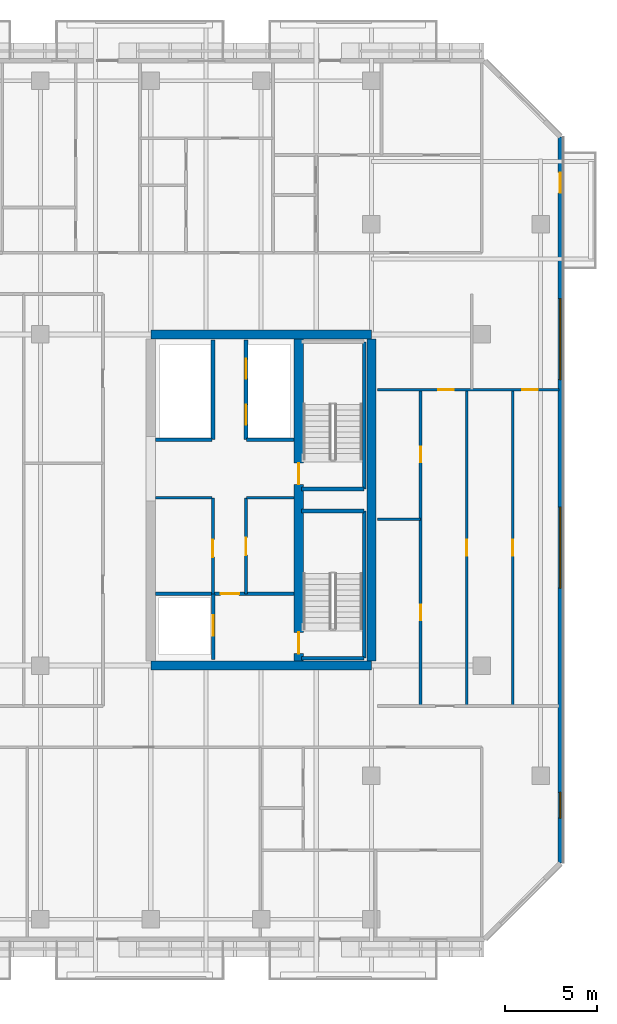
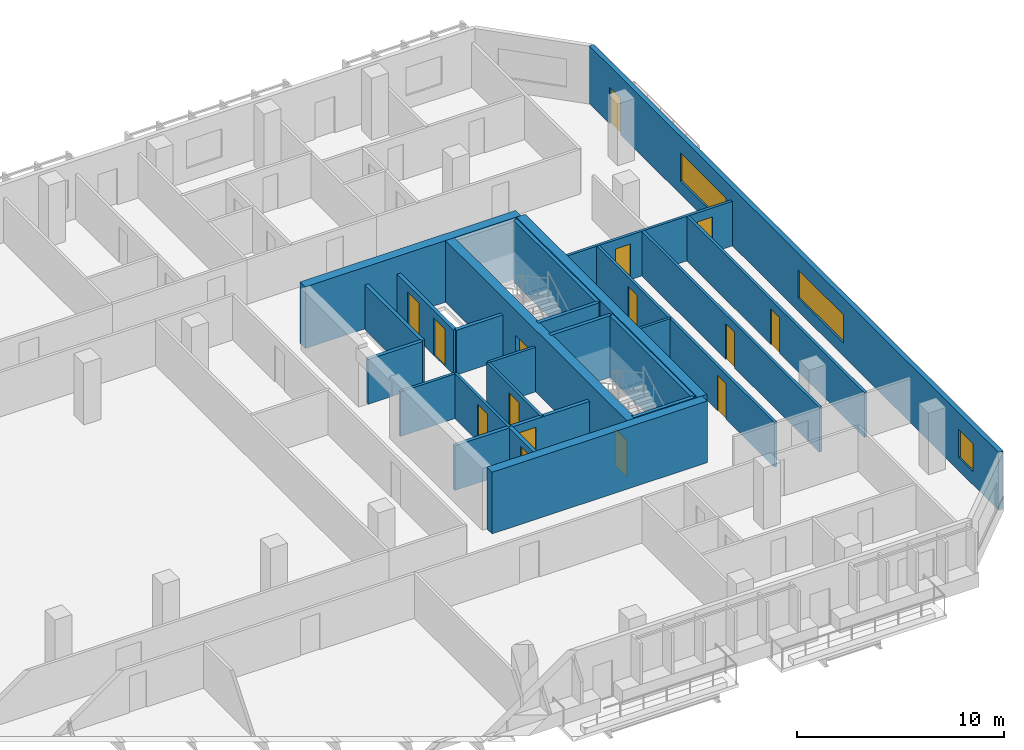
# One storey, part 14 of 22: 25 walls, 15 doors, 3 windows, 18 openings.
"""IFC4 building model written with IfcOpenShell, lengths in metres."""

from ifc_helpers import new_model, si_unit, direction, frame, frame_2d, origin, place, context, subcontext, project, spatial, rectangle, extrude, material, layer, layer_set, type_object, element, fill, save


model = new_model("IFC4")

# Units and contexts
model_context = context("Model", 3, precision=1e-05, world=origin(), true_north=direction((0.0, 1.0)))
body_context = subcontext(model_context, "Body", "Model", "MODEL_VIEW")
ifc_project = project(units=[si_unit("LENGTHUNIT", "METRE"), si_unit("AREAUNIT", "SQUARE_METRE"), si_unit("VOLUMEUNIT", "CUBIC_METRE"), si_unit("PLANEANGLEUNIT", "RADIAN"), si_unit("MASSUNIT", "GRAM", prefix="KILO")], contexts=[model_context])

# Site, building, storey
site_placement = place(None, origin())
site = spatial("IfcSite", under=ifc_project, at=site_placement, CompositionType="ELEMENT")
building_placement = place(site_placement, origin())
building = spatial("IfcBuilding", under=site, at=building_placement, Name="Tanjung Sevakor Pilgrim Tower", CompositionType="ELEMENT")
storey_placement = place(building_placement, frame((0.0, 0.0, 115.830078125)))
storey = spatial("IfcBuildingStorey", under=building, at=storey_placement, Name="L32", CompositionType="ELEMENT", Elevation=115.830078125)

# Walls
ifc_material_1 = material(Name="Concrete C60/75", Category="concrete")
ifc_layer_1 = layer(ifc_material_1, 0.5)
ifc_layer_set_1 = layer_set([ifc_layer_1], Name="WALL-CW-500")
wall_type_1 = type_object("IfcWallType", Name="WALL-CW-500", PredefinedType="SHEAR", material=ifc_layer_set_1)
for number, where, z_axis, x_axis, name in (
    (1, (78.0, 24.60009765625, 0.0), (0.0, 0.0, 1.0), (1.0, 0.0, 0.0), "L32 E Core South Shear Wall"),
    (2, (90.0, 42.60009765625, 0.0), (0.0, 0.0, 1.0), (-1.0, 0.0, 0.0), "L32 E Core North Shear Wall"),
):
    element("IfcWall", number, at=place(storey_placement, frame(where, z_axis=z_axis, x_axis=x_axis)), inside=storey, type_object=wall_type_1, Name=name, PredefinedType="SHEAR", context=body_context, shape_type="SweptSolid", body=[
        extrude(rectangle(XDim=12.0, YDim=0.5, at=frame_2d((6.0, 0.0))), origin(), (0.0, 0.0, 1.0), 3.6298828125),
    ])
wall_1_placement = place(storey_placement, frame((90.0, 24.85009765625, 0.0), z_axis=(0.0, 0.0, 1.0), x_axis=(0.0, 1.0, 0.0)))
element("IfcWall", 3, at=wall_1_placement, inside=storey, type_object=wall_type_1, Name="L32 E Core Outer Shear Wall", PredefinedType="SHEAR", context=body_context, shape_type="SweptSolid", body=[
    extrude(rectangle(XDim=17.5, YDim=0.5, at=frame_2d((8.75, 0.0))), origin(), (0.0, 0.0, 1.0), 3.6298828125),
])

# Wall, openings, doors
wall_2_placement = place(storey_placement, frame((86.050048828125, 24.85009765625, 0.0), z_axis=(0.0, 0.0, 1.0), x_axis=(0.0, 1.0, 0.0)))
wall_2 = element("IfcWall", 4, at=wall_2_placement, inside=storey, type_object=wall_type_1, Name="L32 E Core Stair Spine Wall", PredefinedType="SHEAR", context=body_context, shape_type="SweptSolid", body=[
    extrude(rectangle(XDim=17.5, YDim=0.5, at=frame_2d((8.75, 0.0))), origin(), (0.0, 0.0, 1.0), 3.6298828125),
])
opening_1_placement = place(wall_2_placement, frame((0.39990234375, 0.0, 0.0)))
opening_1 = element("IfcOpeningElement", 5, at=opening_1_placement, cuts=wall_2, Name="Opening ID-ST1", PredefinedType="OPENING", context=body_context, shape_type="SweptSolid", body=[
    extrude(rectangle(XDim=1.14990234375, YDim=2.14990234375, at=frame_2d((0.574951171875, 1.074951171875))), frame((0.0, 0.260009765625, 0.0), z_axis=(0.0, -1.0, 0.0), x_axis=(1.0, 0.0, 0.0)), (0.0, 0.0, 1.0), 0.52001953125),
])
opening_2_placement = place(wall_2_placement, frame((9.60009765625, 0.0, 0.0)))
opening_2 = element("IfcOpeningElement", 6, at=opening_2_placement, cuts=wall_2, Name="Opening ID-ST1", PredefinedType="OPENING", context=body_context, shape_type="SweptSolid", body=[
    extrude(rectangle(XDim=1.14990234375, YDim=2.14990234375, at=frame_2d((0.574951171875, 1.074951171875))), frame((0.0, 0.260009765625, 0.0), z_axis=(0.0, -1.0, 0.0), x_axis=(1.0, 0.0, 0.0)), (0.0, 0.0, 1.0), 0.52001953125),
])
ifc_material_2 = material(Name="Fire-Rated Steel S355J2", Category="steel")
door_type_1 = type_object("IfcDoorType", Name="DT-FIRE-1150", OperationType="NOTDEFINED", PredefinedType="DOOR", material=ifc_material_2)
door_1_placement = place(opening_1_placement, origin())
door_1 = element("IfcDoor", 7, at=door_1_placement, inside=storey, type_object=door_type_1, Name="L32 TS-E1 Stair Fire Door", OperationType="SINGLE_SWING_LEFT", OverallHeight=2.14990234375, OverallWidth=1.14990234375, PredefinedType="DOOR", context=body_context, shape_type="SweptSolid", body=[
    extrude(rectangle(XDim=1.14990234375, YDim=2.14990234375, at=frame_2d((0.574951171875, 1.074951171875))), frame((0.0, 0.02490234375, 0.0), z_axis=(0.0, -1.0, 0.0), x_axis=(1.0, 0.0, 0.0)), (0.0, 0.0, 1.0), 0.050048828125),
])
fill(opening_1, door_1)
door_2_placement = place(opening_2_placement, origin())
door_2 = element("IfcDoor", 8, at=door_2_placement, inside=storey, type_object=door_type_1, Name="L32 TS-E2 Stair Fire Door", OperationType="SINGLE_SWING_RIGHT", OverallHeight=2.14990234375, OverallWidth=1.14990234375, PredefinedType="DOOR", context=body_context, shape_type="SweptSolid", body=[
    extrude(rectangle(XDim=1.14990234375, YDim=2.14990234375, at=frame_2d((0.574951171875, 1.074951171875))), frame((0.0, 0.02490234375, 0.0), z_axis=(0.0, -1.0, 0.0), x_axis=(1.0, 0.0, 0.0)), (0.0, 0.0, 1.0), 0.050048828125),
])
fill(opening_2, door_2)

# Wall
ifc_material_3 = material(Name="Concrete C40/50", Category="concrete")
ifc_layer_2 = layer(ifc_material_3, 0.14990234375)
ifc_layer_set_2 = layer_set([ifc_layer_2], Name="WT-COMP-150")
wall_type_2 = type_object("IfcWallType", Name="WT-COMP-150", PredefinedType="SOLIDWALL", material=ifc_layer_set_2)
wall_3_placement = place(storey_placement, frame((83.199951171875, 33.719970703125, 0.0), z_axis=(0.0, 0.0, 1.0), x_axis=(1.0, 0.0, 0.0)))
element("IfcWall", 9, at=wall_3_placement, inside=storey, type_object=wall_type_2, Name="L32 Partition IW-L32-013", PredefinedType="SOLIDWALL", context=body_context, shape_type="SweptSolid", body=[
    extrude(rectangle(XDim=2.580078125, YDim=0.14990234375, at=frame_2d((1.2900390625, 0.0))), origin(), (0.0, 0.0, 1.0), 2.6298828125),
])

# Wall, opening, door
wall_4_placement = place(storey_placement, frame((83.179931640625, 28.5, 0.0), z_axis=(0.0, 0.0, 1.0), x_axis=(0.0, 1.0, 0.0)))
wall_4 = element("IfcWall", 10, at=wall_4_placement, inside=storey, type_object=wall_type_2, Name="L32 Partition IW-L32-014", PredefinedType="SOLIDWALL", context=body_context, shape_type="SweptSolid", body=[
    extrude(rectangle(XDim=5.219970703125, YDim=0.14990234375, at=frame_2d((2.60986328125, 0.0))), origin(), (0.0, 0.0, 1.0), 2.6298828125),
])
opening_3_placement = place(wall_4_placement, frame((2.10009765625, 0.0, 0.0)))
opening_3 = element("IfcOpeningElement", 11, at=opening_3_placement, cuts=wall_4, Name="Opening ID-FD2", PredefinedType="OPENING", context=body_context, shape_type="SweptSolid", body=[
    extrude(rectangle(XDim=0.949951171875, YDim=2.14990234375, at=frame_2d((0.47509765625, 1.074951171875))), frame((0.0, 0.0849609375, 0.0), z_axis=(0.0, -1.0, 0.0), x_axis=(1.0, 0.0, 0.0)), (0.0, 0.0, 1.0), 0.169921875),
])
ifc_material_4 = material(Name="Fire-Rated Timber", Category="wood")
door_type_2 = type_object("IfcDoorType", Name="DT-FIRE-950", OperationType="NOTDEFINED", PredefinedType="DOOR", material=ifc_material_4)
door_3_placement = place(opening_3_placement, origin())
door_3 = element("IfcDoor", 12, at=door_3_placement, inside=storey, type_object=door_type_2, Name="L32 Housekeeping Pantry Door", OperationType="SINGLE_SWING_RIGHT", OverallHeight=2.14990234375, OverallWidth=0.949951171875, PredefinedType="DOOR", context=body_context, shape_type="SweptSolid", body=[
    extrude(rectangle(XDim=0.949951171875, YDim=2.14990234375, at=frame_2d((0.47509765625, 1.074951171875))), frame((0.0, 0.02490234375, 0.0), z_axis=(0.0, -1.0, 0.0), x_axis=(1.0, 0.0, 0.0)), (0.0, 0.0, 1.0), 0.050048828125),
])
fill(opening_3, door_3)

# Wall
wall_5_placement = place(storey_placement, frame((78.27001953125, 33.719970703125, 0.0), z_axis=(0.0, 0.0, 1.0), x_axis=(1.0, 0.0, 0.0)))
element("IfcWall", 13, at=wall_5_placement, inside=storey, type_object=wall_type_2, Name="L32 Partition IW-L32-015", PredefinedType="SOLIDWALL", context=body_context, shape_type="SweptSolid", body=[
    extrude(rectangle(XDim=3.050048828125, YDim=0.14990234375, at=frame_2d((1.52490234375, 0.0))), origin(), (0.0, 0.0, 1.0), 2.6298828125),
])

# Wall, opening, door
wall_6_placement = place(storey_placement, frame((81.3798828125, 28.5, 0.0), z_axis=(0.0, 0.0, 1.0), x_axis=(0.0, 1.0, 0.0)))
wall_6 = element("IfcWall", 14, at=wall_6_placement, inside=storey, type_object=wall_type_2, Name="L32 Partition IW-L32-016", PredefinedType="SOLIDWALL", context=body_context, shape_type="SweptSolid", body=[
    extrude(rectangle(XDim=5.219970703125, YDim=0.14990234375, at=frame_2d((2.60986328125, 0.0))), origin(), (0.0, 0.0, 1.0), 2.6298828125),
])
opening_4_placement = place(wall_6_placement, frame((2.0, 0.0, 0.0)))
opening_4 = element("IfcOpeningElement", 15, at=opening_4_placement, cuts=wall_6, Name="Opening ID-FD2", PredefinedType="OPENING", context=body_context, shape_type="SweptSolid", body=[
    extrude(rectangle(XDim=0.949951171875, YDim=2.14990234375, at=frame_2d((0.47509765625, 1.074951171875))), frame((0.0, 0.0849609375, 0.0), z_axis=(0.0, -1.0, 0.0), x_axis=(1.0, 0.0, 0.0)), (0.0, 0.0, 1.0), 0.169921875),
])
door_4_placement = place(opening_4_placement, origin())
door_4 = element("IfcDoor", 16, at=door_4_placement, inside=storey, type_object=door_type_2, Name="L32 Accessible WC Door", OperationType="SINGLE_SWING_LEFT", OverallHeight=2.14990234375, OverallWidth=0.949951171875, PredefinedType="DOOR", context=body_context, shape_type="SweptSolid", body=[
    extrude(rectangle(XDim=0.949951171875, YDim=2.14990234375, at=frame_2d((0.47509765625, 1.074951171875))), frame((0.0, 0.02490234375, 0.0), z_axis=(0.0, -1.0, 0.0), x_axis=(1.0, 0.0, 0.0)), (0.0, 0.0, 1.0), 0.050048828125),
])
fill(opening_4, door_4)

# Wall, openings, door, windows
ifc_material_5 = material(Name="Precast concrete C45/55", Category="concrete")
ifc_layer_3 = layer(ifc_material_5, 0.25)
ifc_layer_set_3 = layer_set([ifc_layer_3], Name="WT-EW-STN3")
wall_type_3 = type_object("IfcWallType", Name="WT-EW-STN3", PredefinedType="SOLIDWALL", material=ifc_layer_set_3)
wall_7_placement = place(storey_placement, frame((100.27490234375, 13.851806640625, 0.0), z_axis=(0.0, 0.0, 1.0), x_axis=(0.0, 1.0, 0.0)))
wall_7 = element("IfcWall", 17, at=wall_7_placement, inside=storey, type_object=wall_type_3, Name="L32 MAIN Exterior Wall 7", PredefinedType="SOLIDWALL", context=body_context, shape_type="SweptSolid", body=[
    extrude(rectangle(XDim=39.496337890625, YDim=0.25, at=frame_2d((19.748046875, 0.0))), origin(), (0.0, 0.0, 1.0), 3.409912109375),
])
opening_5_placement = place(wall_7_placement, frame((36.4482421875, 0.0, 0.0)))
opening_5 = element("IfcOpeningElement", 18, at=opening_5_placement, cuts=wall_7, Name="Opening ED-BAL-1100", PredefinedType="OPENING", context=body_context, shape_type="SweptSolid", body=[
    extrude(rectangle(XDim=1.10009765625, YDim=2.14990234375, at=frame_2d((0.550048828125, 1.074951171875))), frame((0.0, 0.135009765625, 0.0), z_axis=(0.0, -1.0, 0.0), x_axis=(1.0, 0.0, 0.0)), (0.0, 0.0, 1.0), 0.27001953125),
])
opening_6_placement = place(wall_7_placement, frame((14.958251953125, 0.0, 0.780029296875)))
opening_6 = element("IfcOpeningElement", 19, at=opening_6_placement, cuts=wall_7, Name="Opening WN-ENDW-1660", PredefinedType="OPENING", context=body_context, shape_type="SweptSolid", body=[
    extrude(rectangle(XDim=4.39990234375, YDim=1.659912109375, at=frame_2d((2.199951171875, 0.830078125))), frame((0.0, 0.135009765625, 0.0), z_axis=(0.0, -1.0, 0.0), x_axis=(1.0, 0.0, 0.0)), (0.0, 0.0, 1.0), 0.27001953125),
])
opening_7_placement = place(wall_7_placement, frame((26.298095703125, 0.0, 0.780029296875)))
opening_7 = element("IfcOpeningElement", 20, at=opening_7_placement, cuts=wall_7, Name="Opening WN-ENDW-1660", PredefinedType="OPENING", context=body_context, shape_type="SweptSolid", body=[
    extrude(rectangle(XDim=4.39990234375, YDim=1.659912109375, at=frame_2d((2.199951171875, 0.830078125))), frame((0.0, 0.135009765625, 0.0), z_axis=(0.0, -1.0, 0.0), x_axis=(1.0, 0.0, 0.0)), (0.0, 0.0, 1.0), 0.27001953125),
])
opening_8_placement = place(wall_7_placement, frame((2.4541015625, 0.0, 0.780029296875)))
opening_8 = element("IfcOpeningElement", 21, at=opening_8_placement, cuts=wall_7, Name="Opening WN-END", PredefinedType="OPENING", context=body_context, shape_type="SweptSolid", body=[
    extrude(rectangle(XDim=1.39990234375, YDim=1.64990234375, at=frame_2d((0.699951171875, 0.824951171875))), frame((0.0, 0.135009765625, 0.0), z_axis=(0.0, -1.0, 0.0), x_axis=(1.0, 0.0, 0.0)), (0.0, 0.0, 1.0), 0.27001953125),
])
ifc_material_6 = material(Name="Anodised Aluminium and Laminated Glass", Category="aluminium")
door_type_3 = type_object("IfcDoorType", Name="DTYP-ED-BAL-1100", OperationType="NOTDEFINED", PredefinedType="DOOR", material=ifc_material_6)
door_5_placement = place(opening_5_placement, frame((1.10009765625, 0.0, 0.0), z_axis=(0.0, 0.0, 1.0), x_axis=(-1.0, 0.0, 0.0)))
door_5 = element("IfcDoor", 22, at=door_5_placement, inside=storey, type_object=door_type_3, Name="L32 East Loggia Door MAIN-E1", OperationType="SINGLE_SWING_RIGHT", OverallHeight=2.14990234375, OverallWidth=1.10009765625, PredefinedType="DOOR", context=body_context, shape_type="SweptSolid", body=[
    extrude(rectangle(XDim=1.10009765625, YDim=2.14990234375, at=frame_2d((0.550048828125, 1.074951171875))), frame((0.0, 0.02490234375, 0.0), z_axis=(0.0, -1.0, 0.0), x_axis=(1.0, 0.0, 0.0)), (0.0, 0.0, 1.0), 0.050048828125),
])
fill(opening_5, door_5)
ifc_material_7 = material(Name="Thermally Broken Aluminium and Low-E Glass", Category="aluminium")
window_type_1 = type_object("IfcWindowType", Name="WTYP-WN-END", PartitioningType="SINGLE_PANEL", PredefinedType="WINDOW", material=ifc_material_7)
window_1_placement = place(opening_8_placement, origin())
window_1 = element("IfcWindow", 23, at=window_1_placement, inside=storey, type_object=window_type_1, Name="L32 Facade Window 03", OverallHeight=1.64990234375, OverallWidth=1.39990234375, PartitioningType="SINGLE_PANEL", PredefinedType="WINDOW", context=body_context, shape_type="SweptSolid", body=[
    extrude(rectangle(XDim=1.39990234375, YDim=1.64990234375, at=frame_2d((0.699951171875, 0.824951171875))), frame((0.0, 0.030029296875, 0.0), z_axis=(0.0, -1.0, 0.0), x_axis=(1.0, 0.0, 0.0)), (0.0, 0.0, 1.0), 0.06005859375),
])
fill(opening_8, window_1)
ifc_material_8 = material(Name="Thermally Broken Aluminium and Low-E Glass", Category="aluminium")
window_type_2 = type_object("IfcWindowType", Name="WTYP-WN-ENDW-1660", PartitioningType="DOUBLE_PANEL_VERTICAL", PredefinedType="WINDOW", material=ifc_material_8)
window_2_placement = place(opening_6_placement, origin())
window_2 = element("IfcWindow", 24, at=window_2_placement, inside=storey, type_object=window_type_2, Name="L32 Facade Window 01", OverallHeight=1.659912109375, OverallWidth=4.39990234375, PartitioningType="SINGLE_PANEL", PredefinedType="WINDOW", context=body_context, shape_type="SweptSolid", body=[
    extrude(rectangle(XDim=4.39990234375, YDim=1.659912109375, at=frame_2d((2.199951171875, 0.830078125))), frame((0.0, 0.030029296875, 0.0), z_axis=(0.0, -1.0, 0.0), x_axis=(1.0, 0.0, 0.0)), (0.0, 0.0, 1.0), 0.06005859375),
])
fill(opening_6, window_2)
window_3_placement = place(opening_7_placement, origin())
window_3 = element("IfcWindow", 25, at=window_3_placement, inside=storey, type_object=window_type_2, Name="L32 Facade Window 02", OverallHeight=1.659912109375, OverallWidth=4.39990234375, PartitioningType="SINGLE_PANEL", PredefinedType="WINDOW", context=body_context, shape_type="SweptSolid", body=[
    extrude(rectangle(XDim=4.39990234375, YDim=1.659912109375, at=frame_2d((2.199951171875, 0.830078125))), frame((0.0, 0.030029296875, 0.0), z_axis=(0.0, -1.0, 0.0), x_axis=(1.0, 0.0, 0.0)), (0.0, 0.0, 1.0), 0.06005859375),
])
fill(opening_7, window_3)

# Walls
ifc_material_9 = material(Name="Concrete C40/50", Category="concrete")
ifc_layer_4 = layer(ifc_material_9, 0.199951171875)
ifc_layer_set_4 = layer_set([ifc_layer_4], Name="WT-FIRE-200")
wall_type_4 = type_object("IfcWallType", Name="WT-FIRE-200", PredefinedType="SOLIDWALL", material=ifc_layer_set_4)
wall_8_placement = place(storey_placement, frame((86.199951171875, 25.0, 0.0), z_axis=(0.0, 0.0, 1.0), x_axis=(1.0, 0.0, 0.0)))
element("IfcWall", 26, at=wall_8_placement, inside=storey, type_object=wall_type_4, Name="L32 TS-E1 Shaft Wall 1", PredefinedType="SOLIDWALL", context=body_context, shape_type="SweptSolid", body=[
    extrude(rectangle(XDim=3.400146484375, YDim=0.199951171875, at=frame_2d((1.7001953125, 0.0))), origin(), (0.0, 0.0, 1.0), 3.6298828125),
])
wall_9_placement = place(storey_placement, frame((89.60009765625, 25.0, 0.0), z_axis=(0.0, 0.0, 1.0), x_axis=(0.0, 1.0, 0.0)))
element("IfcWall", 27, at=wall_9_placement, inside=storey, type_object=wall_type_4, Name="L32 TS-E1 Shaft Wall 2", PredefinedType="SOLIDWALL", context=body_context, shape_type="SweptSolid", body=[
    extrude(rectangle(XDim=8.0, YDim=0.199951171875, at=frame_2d((4.0, 0.0))), origin(), (0.0, 0.0, 1.0), 3.6298828125),
])
for number, where, z_axis, x_axis, name in (
    (28, (89.60009765625, 33.0, 0.0), (0.0, 0.0, 1.0), (-1.0, 0.0, 0.0), "L32 TS-E1 Shaft Wall 3"),
    (29, (86.199951171875, 34.199951171875, 0.0), (0.0, 0.0, 1.0), (1.0, 0.0, 0.0), "L32 TS-E2 Shaft Wall 1"),
):
    element("IfcWall", number, at=place(storey_placement, frame(where, z_axis=z_axis, x_axis=x_axis)), inside=storey, type_object=wall_type_4, Name=name, PredefinedType="SOLIDWALL", context=body_context, shape_type="SweptSolid", body=[
        extrude(rectangle(XDim=3.400146484375, YDim=0.199951171875, at=frame_2d((1.7001953125, 0.0))), origin(), (0.0, 0.0, 1.0), 3.6298828125),
    ])
wall_10_placement = place(storey_placement, frame((89.60009765625, 34.199951171875, 0.0), z_axis=(0.0, 0.0, 1.0), x_axis=(0.0, 1.0, 0.0)))
element("IfcWall", 30, at=wall_10_placement, inside=storey, type_object=wall_type_4, Name="L32 TS-E2 Shaft Wall 2", PredefinedType="SOLIDWALL", context=body_context, shape_type="SweptSolid", body=[
    extrude(rectangle(XDim=8.0, YDim=0.199951171875, at=frame_2d((4.0, 0.0))), origin(), (0.0, 0.0, 1.0), 3.6298828125),
])

# Wall, opening, door
ifc_material_10 = material(Name="Concrete C40/50", Category="concrete")
ifc_layer_5 = layer(ifc_material_10, 0.199951171875)
ifc_layer_set_5 = layer_set([ifc_layer_5], Name="WT-FPRT-200")
wall_type_5 = type_object("IfcWallType", Name="WT-FPRT-200", PredefinedType="SOLIDWALL", material=ifc_layer_set_5)
wall_11_placement = place(storey_placement, frame((81.39990234375, 24.919921875, 0.0), z_axis=(0.0, 0.0, 1.0), x_axis=(0.0, 1.0, 0.0)))
wall_11 = element("IfcWall", 31, at=wall_11_placement, inside=storey, type_object=wall_type_5, Name="L32 Partition IW-L32-011", PredefinedType="SOLIDWALL", context=body_context, shape_type="SweptSolid", body=[
    extrude(rectangle(XDim=3.580078125, YDim=0.199951171875, at=frame_2d((1.7900390625, 0.0))), origin(), (0.0, 0.0, 1.0), 2.6298828125),
])
opening_9_placement = place(wall_11_placement, frame((1.300048828125, 0.0, 0.0)))
opening_9 = element("IfcOpeningElement", 32, at=opening_9_placement, cuts=wall_11, Name="Opening LD-1100", PredefinedType="OPENING", context=body_context, shape_type="SweptSolid", body=[
    extrude(rectangle(XDim=1.10009765625, YDim=2.199951171875, at=frame_2d((0.550048828125, 1.10009765625))), frame((0.0, 0.10986328125, 0.0), z_axis=(0.0, -1.0, 0.0), x_axis=(1.0, 0.0, 0.0)), (0.0, 0.0, 1.0), 0.219970703125),
])
ifc_material_11 = material(Name="Brushed Stainless Steel S355J2", Category="steel")
door_type_4 = type_object("IfcDoorType", Name="DT-LIFT-1100", OperationType="SLIDING_TO_LEFT", PredefinedType="DOOR", material=ifc_material_11)
door_6_placement = place(opening_9_placement, origin())
door_6 = element("IfcDoor", 33, at=door_6_placement, inside=storey, type_object=door_type_4, Name="LD-FL-E", OperationType="SLIDING_TO_LEFT", OverallHeight=2.199951171875, OverallWidth=1.10009765625, PredefinedType="DOOR", context=body_context, shape_type="SweptSolid", body=[
    extrude(rectangle(XDim=1.10009765625, YDim=2.199951171875, at=frame_2d((0.550048828125, 1.10009765625))), frame((0.0, 0.02490234375, 0.0), z_axis=(0.0, -1.0, 0.0), x_axis=(1.0, 0.0, 0.0)), (0.0, 0.0, 1.0), 0.050048828125),
])
fill(opening_9, door_6)

wall_12_placement = place(storey_placement, frame((78.27001953125, 28.5, 0.0), z_axis=(0.0, 0.0, 1.0), x_axis=(1.0, 0.0, 0.0)))
wall_12 = element("IfcWall", 34, at=wall_12_placement, inside=storey, type_object=wall_type_5, Name="L32 Partition IW-L32-012", PredefinedType="SOLIDWALL", context=body_context, shape_type="SweptSolid", body=[
    extrude(rectangle(XDim=7.510009765625, YDim=0.199951171875, at=frame_2d((3.7548828125, 0.0))), origin(), (0.0, 0.0, 1.0), 2.6298828125),
])
opening_10_placement = place(wall_12_placement, frame((3.530029296875, 0.0, 0.0)))
opening_10 = element("IfcOpeningElement", 35, at=opening_10_placement, cuts=wall_12, Name="Opening ID-FD1", PredefinedType="OPENING", context=body_context, shape_type="SweptSolid", body=[
    extrude(rectangle(XDim=1.0, YDim=2.14990234375, at=frame_2d((0.5, 1.074951171875))), frame((0.0, 0.10986328125, 0.0), z_axis=(0.0, -1.0, 0.0), x_axis=(1.0, 0.0, 0.0)), (0.0, 0.0, 1.0), 0.219970703125),
])
ifc_material_12 = material(Name="Fire-Rated Steel S355J2", Category="steel")
door_type_5 = type_object("IfcDoorType", Name="DT-FIRE-1000", OperationType="NOTDEFINED", PredefinedType="DOOR", material=ifc_material_12)
door_7_placement = place(opening_10_placement, origin())
door_7 = element("IfcDoor", 36, at=door_7_placement, inside=storey, type_object=door_type_5, Name="Fire Lobby Door E", OperationType="SINGLE_SWING_LEFT", OverallHeight=2.14990234375, OverallWidth=1.0, PredefinedType="DOOR", context=body_context, shape_type="SweptSolid", body=[
    extrude(rectangle(XDim=1.0, YDim=2.14990234375, at=frame_2d((0.5, 1.074951171875))), frame((0.0, 0.02490234375, 0.0), z_axis=(0.0, -1.0, 0.0), x_axis=(1.0, 0.0, 0.0)), (0.0, 0.0, 1.0), 0.050048828125),
])
fill(opening_10, door_7)

# Wall
wall_13_placement = place(storey_placement, frame((83.199951171875, 36.8798828125, 0.0), z_axis=(0.0, 0.0, 1.0), x_axis=(1.0, 0.0, 0.0)))
element("IfcWall", 37, at=wall_13_placement, inside=storey, type_object=wall_type_5, Name="L32 Partition IW-L32-017", PredefinedType="SOLIDWALL", context=body_context, shape_type="SweptSolid", body=[
    extrude(rectangle(XDim=2.580078125, YDim=0.199951171875, at=frame_2d((1.2900390625, 0.0))), origin(), (0.0, 0.0, 1.0), 2.6298828125),
])

# Wall, openings, doors
wall_14_placement = place(storey_placement, frame((83.179931640625, 36.8798828125, 0.0), z_axis=(0.0, 0.0, 1.0), x_axis=(0.0, 1.0, 0.0)))
wall_14 = element("IfcWall", 38, at=wall_14_placement, inside=storey, type_object=wall_type_5, Name="L32 Partition IW-L32-018", PredefinedType="SOLIDWALL", context=body_context, shape_type="SweptSolid", body=[
    extrude(rectangle(XDim=5.420166015625, YDim=0.199951171875, at=frame_2d((2.7099609375, 0.0))), origin(), (0.0, 0.0, 1.0), 2.6298828125),
])
opening_11_placement = place(wall_14_placement, frame((0.800048828125, 0.0, 0.0)))
opening_11 = element("IfcOpeningElement", 39, at=opening_11_placement, cuts=wall_14, Name="Opening LD-1100", PredefinedType="OPENING", context=body_context, shape_type="SweptSolid", body=[
    extrude(rectangle(XDim=1.10009765625, YDim=2.199951171875, at=frame_2d((0.550048828125, 1.10009765625))), frame((0.0, 0.10986328125, 0.0), z_axis=(0.0, -1.0, 0.0), x_axis=(1.0, 0.0, 0.0)), (0.0, 0.0, 1.0), 0.219970703125),
])
opening_12_placement = place(wall_14_placement, frame((3.300048828125, 0.0, 0.0)))
opening_12 = element("IfcOpeningElement", 40, at=opening_12_placement, cuts=wall_14, Name="Opening LD-1100", PredefinedType="OPENING", context=body_context, shape_type="SweptSolid", body=[
    extrude(rectangle(XDim=1.10009765625, YDim=2.199951171875, at=frame_2d((0.550048828125, 1.10009765625))), frame((0.0, 0.10986328125, 0.0), z_axis=(0.0, -1.0, 0.0), x_axis=(1.0, 0.0, 0.0)), (0.0, 0.0, 1.0), 0.219970703125),
])
door_8_placement = place(opening_11_placement, origin())
door_8 = element("IfcDoor", 41, at=door_8_placement, inside=storey, type_object=door_type_4, Name="LD-PLM1-E", OperationType="SLIDING_TO_LEFT", OverallHeight=2.199951171875, OverallWidth=1.10009765625, PredefinedType="DOOR", context=body_context, shape_type="SweptSolid", body=[
    extrude(rectangle(XDim=1.10009765625, YDim=2.199951171875, at=frame_2d((0.550048828125, 1.10009765625))), frame((0.0, 0.02490234375, 0.0), z_axis=(0.0, -1.0, 0.0), x_axis=(1.0, 0.0, 0.0)), (0.0, 0.0, 1.0), 0.050048828125),
])
fill(opening_11, door_8)
door_9_placement = place(opening_12_placement, origin())
door_9 = element("IfcDoor", 42, at=door_9_placement, inside=storey, type_object=door_type_4, Name="LD-PLM2-E", OperationType="SLIDING_TO_RIGHT", OverallHeight=2.199951171875, OverallWidth=1.10009765625, PredefinedType="DOOR", context=body_context, shape_type="SweptSolid", body=[
    extrude(rectangle(XDim=1.10009765625, YDim=2.199951171875, at=frame_2d((0.550048828125, 1.10009765625))), frame((0.0, 0.02490234375, 0.0), z_axis=(0.0, -1.0, 0.0), x_axis=(1.0, 0.0, 0.0)), (0.0, 0.0, 1.0), 0.050048828125),
])
fill(opening_12, door_9)

# Walls
wall_15_placement = place(storey_placement, frame((78.27001953125, 36.8798828125, 0.0), z_axis=(0.0, 0.0, 1.0), x_axis=(1.0, 0.0, 0.0)))
element("IfcWall", 43, at=wall_15_placement, inside=storey, type_object=wall_type_5, Name="L32 Partition IW-L32-019", PredefinedType="SOLIDWALL", context=body_context, shape_type="SweptSolid", body=[
    extrude(rectangle(XDim=3.050048828125, YDim=0.199951171875, at=frame_2d((1.52490234375, 0.0))), origin(), (0.0, 0.0, 1.0), 2.6298828125),
])
wall_16_placement = place(storey_placement, frame((81.3798828125, 36.8798828125, 0.0), z_axis=(0.0, 0.0, 1.0), x_axis=(0.0, 1.0, 0.0)))
element("IfcWall", 44, at=wall_16_placement, inside=storey, type_object=wall_type_5, Name="L32 Partition IW-L32-020", PredefinedType="SOLIDWALL", context=body_context, shape_type="SweptSolid", body=[
    extrude(rectangle(XDim=5.420166015625, YDim=0.199951171875, at=frame_2d((2.7099609375, 0.0))), origin(), (0.0, 0.0, 1.0), 2.6298828125),
])

# Wall, opening, door
ifc_material_13 = material(Name="Gypsum Board Partition", Category="gypsum board")
ifc_layer_6 = layer(ifc_material_13, 0.14990234375)
ifc_layer_set_6 = layer_set([ifc_layer_6], Name="WT-PART-150")
wall_type_6 = type_object("IfcWallType", Name="WT-PART-150", PredefinedType="PARTITIONING", material=ifc_layer_set_6)
wall_17_placement = place(storey_placement, frame((95.1767578125, 22.39990234375, 0.0), z_axis=(0.0, 0.0, 1.0), x_axis=(0.0, 1.0, 0.0)))
wall_17 = element("IfcWall", 45, at=wall_17_placement, inside=storey, type_object=wall_type_6, Name="L32 Partition IW-L32-036", PredefinedType="PARTITIONING", context=body_context, shape_type="SweptSolid", body=[
    extrude(rectangle(XDim=17.2001953125, YDim=0.14990234375, at=frame_2d((8.60009765625, 0.0))), origin(), (0.0, 0.0, 1.0), 2.6298828125),
])
opening_13_placement = place(wall_17_placement, frame((8.175048828125, 0.0, 0.0)))
opening_13 = element("IfcOpeningElement", 46, at=opening_13_placement, cuts=wall_17, Name="Opening ID-WC1", PredefinedType="OPENING", context=body_context, shape_type="SweptSolid", body=[
    extrude(rectangle(XDim=0.85009765625, YDim=2.10009765625, at=frame_2d((0.425048828125, 1.050048828125))), frame((0.0, 0.0849609375, 0.0), z_axis=(0.0, -1.0, 0.0), x_axis=(1.0, 0.0, 0.0)), (0.0, 0.0, 1.0), 0.169921875),
])
ifc_material_14 = material(Name="Moisture-Resistant Timber", Category="wood")
door_type_6 = type_object("IfcDoorType", Name="DT-INT-850", OperationType="NOTDEFINED", PredefinedType="DOOR", material=ifc_material_14)
door_10_placement = place(opening_13_placement, origin())
door_10 = element("IfcDoor", 47, at=door_10_placement, inside=storey, type_object=door_type_6, Name="Suite Study Room Door", OperationType="SINGLE_SWING_RIGHT", OverallHeight=2.10009765625, OverallWidth=0.85009765625, PredefinedType="DOOR", context=body_context, shape_type="SweptSolid", body=[
    extrude(rectangle(XDim=0.85009765625, YDim=2.10009765625, at=frame_2d((0.425048828125, 1.050048828125))), frame((0.0, 0.02490234375, 0.0), z_axis=(0.0, -1.0, 0.0), x_axis=(1.0, 0.0, 0.0)), (0.0, 0.0, 1.0), 0.050048828125),
])
fill(opening_13, door_10)

wall_18_placement = place(storey_placement, frame((97.683349609375, 22.39990234375, 0.0), z_axis=(0.0, 0.0, 1.0), x_axis=(0.0, 1.0, 0.0)))
wall_18 = element("IfcWall", 48, at=wall_18_placement, inside=storey, type_object=wall_type_6, Name="L32 Partition IW-L32-037", PredefinedType="PARTITIONING", context=body_context, shape_type="SweptSolid", body=[
    extrude(rectangle(XDim=17.2001953125, YDim=0.14990234375, at=frame_2d((8.60009765625, 0.0))), origin(), (0.0, 0.0, 1.0), 2.6298828125),
])
opening_14_placement = place(wall_18_placement, frame((8.175048828125, 0.0, 0.0)))
opening_14 = element("IfcOpeningElement", 49, at=opening_14_placement, cuts=wall_18, Name="Opening ID-WC1", PredefinedType="OPENING", context=body_context, shape_type="SweptSolid", body=[
    extrude(rectangle(XDim=0.85009765625, YDim=2.10009765625, at=frame_2d((0.425048828125, 1.050048828125))), frame((0.0, 0.0849609375, 0.0), z_axis=(0.0, -1.0, 0.0), x_axis=(1.0, 0.0, 0.0)), (0.0, 0.0, 1.0), 0.169921875),
])
door_11_placement = place(opening_14_placement, origin())
door_11 = element("IfcDoor", 50, at=door_11_placement, inside=storey, type_object=door_type_6, Name="Suite Reading Room Door", OperationType="SINGLE_SWING_LEFT", OverallHeight=2.10009765625, OverallWidth=0.85009765625, PredefinedType="DOOR", context=body_context, shape_type="SweptSolid", body=[
    extrude(rectangle(XDim=0.85009765625, YDim=2.10009765625, at=frame_2d((0.425048828125, 1.050048828125))), frame((0.0, 0.02490234375, 0.0), z_axis=(0.0, -1.0, 0.0), x_axis=(1.0, 0.0, 0.0)), (0.0, 0.0, 1.0), 0.050048828125),
])
fill(opening_14, door_11)

# Wall
wall_19_placement = place(storey_placement, frame((90.320068359375, 32.548095703125, 0.0), z_axis=(0.0, 0.0, 1.0), x_axis=(1.0, 0.0, 0.0)))
element("IfcWall", 51, at=wall_19_placement, inside=storey, type_object=wall_type_6, Name="L32 Partition IW-L32-038", PredefinedType="PARTITIONING", context=body_context, shape_type="SweptSolid", body=[
    extrude(rectangle(XDim=2.349853515625, YDim=0.14990234375, at=frame_2d((1.1748046875, 0.0))), origin(), (0.0, 0.0, 1.0), 2.6298828125),
])

# Wall, openings, doors
wall_20_placement = place(storey_placement, frame((92.669921875, 22.39990234375, 0.0), z_axis=(0.0, 0.0, 1.0), x_axis=(0.0, 1.0, 0.0)))
wall_20 = element("IfcWall", 52, at=wall_20_placement, inside=storey, type_object=wall_type_6, Name="L32 Partition IW-L32-039", PredefinedType="PARTITIONING", context=body_context, shape_type="SweptSolid", body=[
    extrude(rectangle(XDim=17.2001953125, YDim=0.14990234375, at=frame_2d((8.60009765625, 0.0))), origin(), (0.0, 0.0, 1.0), 2.6298828125),
])
opening_15_placement = place(wall_20_placement, frame((4.64892578125, 0.0, 0.0)))
opening_15 = element("IfcOpeningElement", 53, at=opening_15_placement, cuts=wall_20, Name="Opening ID-WC1", PredefinedType="OPENING", context=body_context, shape_type="SweptSolid", body=[
    extrude(rectangle(XDim=0.85009765625, YDim=2.10009765625, at=frame_2d((0.425048828125, 1.050048828125))), frame((0.0, 0.0849609375, 0.0), z_axis=(0.0, -1.0, 0.0), x_axis=(1.0, 0.0, 0.0)), (0.0, 0.0, 1.0), 0.169921875),
])
opening_16_placement = place(wall_20_placement, frame((13.2490234375, 0.0, 0.0)))
opening_16 = element("IfcOpeningElement", 54, at=opening_16_placement, cuts=wall_20, Name="Opening ID-WC1", PredefinedType="OPENING", context=body_context, shape_type="SweptSolid", body=[
    extrude(rectangle(XDim=0.85009765625, YDim=2.10009765625, at=frame_2d((0.425048828125, 1.050048828125))), frame((0.0, 0.0849609375, 0.0), z_axis=(0.0, -1.0, 0.0), x_axis=(1.0, 0.0, 0.0)), (0.0, 0.0, 1.0), 0.169921875),
])
door_12_placement = place(opening_15_placement, origin())
door_12 = element("IfcDoor", 55, at=door_12_placement, inside=storey, type_object=door_type_6, Name="Suite Kitchenette Door", OperationType="SINGLE_SWING_RIGHT", OverallHeight=2.10009765625, OverallWidth=0.85009765625, PredefinedType="DOOR", context=body_context, shape_type="SweptSolid", body=[
    extrude(rectangle(XDim=0.85009765625, YDim=2.10009765625, at=frame_2d((0.425048828125, 1.050048828125))), frame((0.0, 0.02490234375, 0.0), z_axis=(0.0, -1.0, 0.0), x_axis=(1.0, 0.0, 0.0)), (0.0, 0.0, 1.0), 0.050048828125),
])
fill(opening_15, door_12)
door_13_placement = place(opening_16_placement, origin())
door_13 = element("IfcDoor", 56, at=door_13_placement, inside=storey, type_object=door_type_6, Name="Suite Bathroom Door", OperationType="SINGLE_SWING_LEFT", OverallHeight=2.10009765625, OverallWidth=0.85009765625, PredefinedType="DOOR", context=body_context, shape_type="SweptSolid", body=[
    extrude(rectangle(XDim=0.85009765625, YDim=2.10009765625, at=frame_2d((0.425048828125, 1.050048828125))), frame((0.0, 0.02490234375, 0.0), z_axis=(0.0, -1.0, 0.0), x_axis=(1.0, 0.0, 0.0)), (0.0, 0.0, 1.0), 0.050048828125),
])
fill(opening_16, door_13)

wall_21_placement = place(storey_placement, frame((90.320068359375, 39.60009765625, 0.0), z_axis=(0.0, 0.0, 1.0), x_axis=(1.0, 0.0, 0.0)))
wall_21 = element("IfcWall", 57, at=wall_21_placement, inside=storey, type_object=wall_type_6, Name="L32 Partition IW-L32-041", PredefinedType="PARTITIONING", context=body_context, shape_type="SweptSolid", body=[
    extrude(rectangle(XDim=9.869873046875, YDim=0.14990234375, at=frame_2d((4.93505859375, 0.0))), origin(), (0.0, 0.0, 1.0), 2.6298828125),
])
opening_17_placement = place(wall_21_placement, frame((3.316162109375, 0.0, 0.0)))
opening_17 = element("IfcOpeningElement", 58, at=opening_17_placement, cuts=wall_21, Name="Opening ID-WC1", PredefinedType="OPENING", context=body_context, shape_type="SweptSolid", body=[
    extrude(rectangle(XDim=0.85009765625, YDim=2.10009765625, at=frame_2d((0.425048828125, 1.050048828125))), frame((0.0, 0.0849609375, 0.0), z_axis=(0.0, -1.0, 0.0), x_axis=(1.0, 0.0, 0.0)), (0.0, 0.0, 1.0), 0.169921875),
])
opening_18_placement = place(wall_21_placement, frame((7.876220703125, 0.0, 0.0)))
opening_18 = element("IfcOpeningElement", 59, at=opening_18_placement, cuts=wall_21, Name="Opening ID-WC1", PredefinedType="OPENING", context=body_context, shape_type="SweptSolid", body=[
    extrude(rectangle(XDim=0.85009765625, YDim=2.10009765625, at=frame_2d((0.425048828125, 1.050048828125))), frame((0.0, 0.0849609375, 0.0), z_axis=(0.0, -1.0, 0.0), x_axis=(1.0, 0.0, 0.0)), (0.0, 0.0, 1.0), 0.169921875),
])
door_14_placement = place(opening_17_placement, origin())
door_14 = element("IfcDoor", 60, at=door_14_placement, inside=storey, type_object=door_type_6, Name="Suite Bedroom 1 Door", OperationType="SINGLE_SWING_RIGHT", OverallHeight=2.10009765625, OverallWidth=0.85009765625, PredefinedType="DOOR", context=body_context, shape_type="SweptSolid", body=[
    extrude(rectangle(XDim=0.85009765625, YDim=2.10009765625, at=frame_2d((0.425048828125, 1.050048828125))), frame((0.0, 0.02490234375, 0.0), z_axis=(0.0, -1.0, 0.0), x_axis=(1.0, 0.0, 0.0)), (0.0, 0.0, 1.0), 0.050048828125),
])
fill(opening_17, door_14)
door_15_placement = place(opening_18_placement, origin())
door_15 = element("IfcDoor", 61, at=door_15_placement, inside=storey, type_object=door_type_6, Name="Suite Bedroom 2 Door", OperationType="SINGLE_SWING_LEFT", OverallHeight=2.10009765625, OverallWidth=0.85009765625, PredefinedType="DOOR", context=body_context, shape_type="SweptSolid", body=[
    extrude(rectangle(XDim=0.85009765625, YDim=2.10009765625, at=frame_2d((0.425048828125, 1.050048828125))), frame((0.0, 0.02490234375, 0.0), z_axis=(0.0, -1.0, 0.0), x_axis=(1.0, 0.0, 0.0)), (0.0, 0.0, 1.0), 0.050048828125),
])
fill(opening_18, door_15)

save(model, "model.ifc")
